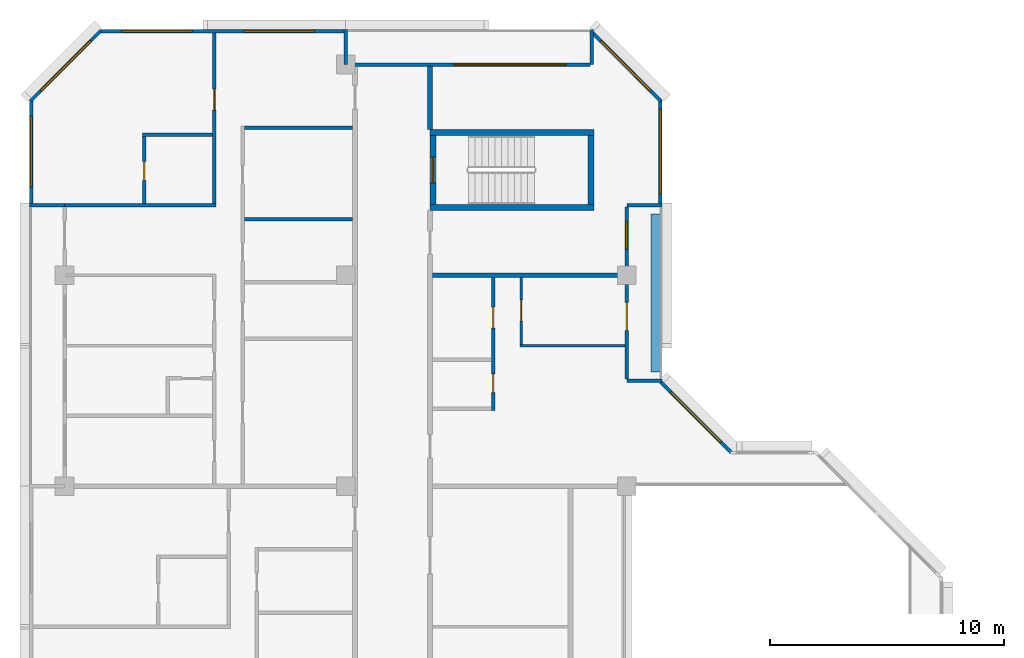
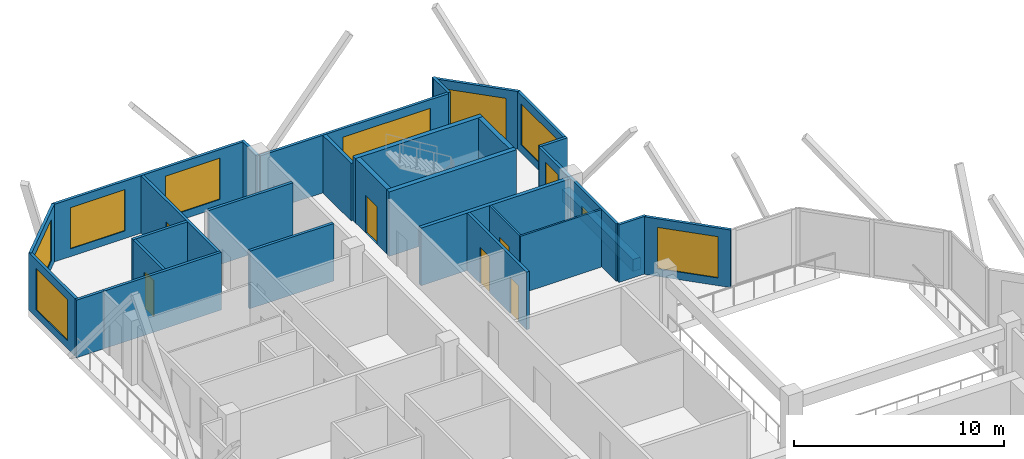
# One storey, part 10 of 13: 29 walls, 9 windows, 7 doors, 16 openings.
"""IFC4 building model written with IfcOpenShell, lengths in metres."""

from ifc_helpers import new_model, si_unit, direction, frame, frame_2d, origin, place, context, subcontext, project, spatial, rectangle, extrude, material, layer, layer_set, type_object, element, fill, save


model = new_model("IFC4")

# Units and contexts
model_context = context("Model", 3, precision=1e-05, world=origin(), true_north=direction((0.0, 1.0)))
body_context = subcontext(model_context, "Body", "Model", "MODEL_VIEW")
ifc_project = project(units=[si_unit("LENGTHUNIT", "METRE"), si_unit("AREAUNIT", "SQUARE_METRE"), si_unit("VOLUMEUNIT", "CUBIC_METRE"), si_unit("PLANEANGLEUNIT", "RADIAN"), si_unit("MASSUNIT", "GRAM", prefix="KILO")], contexts=[model_context])

# Site, building, storey
site_placement = place(None, origin())
site = spatial("IfcSite", under=ifc_project, at=site_placement, CompositionType="ELEMENT")
building_placement = place(site_placement, origin())
building = spatial("IfcBuilding", under=site, at=building_placement, Name="Chenar Terraces", CompositionType="ELEMENT")
storey_placement = place(building_placement, frame((0.0, 0.0, 295.89990234375)))
storey = spatial("IfcBuildingStorey", under=building, at=storey_placement, Name="L69", CompositionType="ELEMENT", Elevation=295.89990234375)

# Walls
ifc_material_1 = material(Name="Concrete C50/60", Category="concrete")
ifc_layer_1 = layer(ifc_material_1, 0.25)
ifc_layer_set_1 = layer_set([ifc_layer_1], Name="Concrete C50/60")
wall_type_1 = type_object("IfcWallType", Name="Core wall 250 Concrete C50/60", PredefinedType="SHEAR", material=ifc_layer_set_1)
for number, where, z_axis, x_axis, name in (
    (1, (15.60009765625, 47.89990234375, 0.0), (0.0, 0.0, 1.0), (1.0, 0.0, 0.0), "Core wall ST4_S L69"),
    (2, (15.60009765625, 51.10009765625, 0.0), (0.0, 0.0, 1.0), (1.0, 0.0, 0.0), "Core wall ST4_N L69"),
):
    element("IfcWall", number, at=place(storey_placement, frame(where, z_axis=z_axis, x_axis=x_axis)), inside=storey, type_object=wall_type_1, Name=name, PredefinedType="SHEAR", context=body_context, shape_type="SweptSolid", body=[
        extrude(rectangle(XDim=7.0, YDim=0.25, at=frame_2d((3.5, 0.0))), origin(), (0.0, 0.0, 1.0), 3.75),
    ])

# Wall, opening, door
wall_1_placement = place(storey_placement, frame((15.72509765625, 48.02490234375, 0.0), z_axis=(0.0, 0.0, 1.0), x_axis=(0.0, 1.0, 0.0)))
wall_1 = element("IfcWall", 3, at=wall_1_placement, inside=storey, type_object=wall_type_1, Name="Core wall ST4_W L69", PredefinedType="SHEAR", context=body_context, shape_type="SweptSolid", body=[
    extrude(rectangle(XDim=2.9501953125, YDim=0.25, at=frame_2d((1.47509765625, 0.0))), origin(), (0.0, 0.0, 1.0), 3.75),
])
opening_1_placement = place(wall_1_placement, frame((0.925048828125, 0.0, 0.0)))
opening_1 = element("IfcOpeningElement", 4, at=opening_1_placement, cuts=wall_1, Name="Opening DL69-C9", PredefinedType="OPENING", context=body_context, shape_type="SweptSolid", body=[
    extrude(rectangle(XDim=1.10009765625, YDim=2.199951171875, at=frame_2d((0.550048828125, 1.10009765625))), frame((0.0, 0.135009765625, 0.0), z_axis=(0.0, -1.0, 0.0), x_axis=(1.0, 0.0, 0.0)), (0.0, 0.0, 1.0), 0.27001953125),
])
ifc_material_2 = material(Name="Steel-framed fire-resisting door leaf", Category="steel")
door_type_1 = type_object("IfcDoorType", Name="Stair fire door FD60 1100 x 2200", OperationType="SINGLE_SWING_LEFT", PredefinedType="DOOR", material=ifc_material_2)
door_1_placement = place(opening_1_placement, frame((1.10009765625, 0.0, 0.0), z_axis=(0.0, 0.0, 1.0), x_axis=(-1.0, 0.0, 0.0)))
door_1 = element("IfcDoor", 5, at=door_1_placement, inside=storey, type_object=door_type_1, Name="Stair door DL69-C9", OperationType="SINGLE_SWING_RIGHT", OverallHeight=2.199951171875, OverallWidth=1.10009765625, PredefinedType="DOOR", context=body_context, shape_type="SweptSolid", body=[
    extrude(rectangle(XDim=1.10009765625, YDim=2.199951171875, at=frame_2d((0.550048828125, 1.10009765625))), frame((0.0, 0.02490234375, 0.0), z_axis=(0.0, -1.0, 0.0), x_axis=(1.0, 0.0, 0.0)), (0.0, 0.0, 1.0), 0.050048828125),
])
fill(opening_1, door_1)

# Walls
wall_2_placement = place(storey_placement, frame((22.47509765625, 48.02490234375, 0.0), z_axis=(0.0, 0.0, 1.0), x_axis=(0.0, 1.0, 0.0)))
element("IfcWall", 6, at=wall_2_placement, inside=storey, type_object=wall_type_1, Name="Core wall ST4_E L69", PredefinedType="SHEAR", context=body_context, shape_type="SweptSolid", body=[
    extrude(rectangle(XDim=2.9501953125, YDim=0.25, at=frame_2d((1.47509765625, 0.0))), origin(), (0.0, 0.0, 1.0), 3.75),
])
ifc_material_3 = material(Name="Gypsum board on steel studs with fire boards", Category="steel")
ifc_layer_2 = layer(ifc_material_3, 0.199951171875)
ifc_layer_set_2 = layer_set([ifc_layer_2], Name="Gypsum board on steel studs with fire boards")
wall_type_2 = type_object("IfcWallType", Name="Corridor wall 200", PredefinedType="PARTITIONING", material=ifc_layer_set_2)
wall_3_placement = place(storey_placement, frame((15.60009765625, 51.22509765625, 0.0), z_axis=(0.0, 0.0, 1.0), x_axis=(0.0, 1.0, 0.0)))
element("IfcWall", 7, at=wall_3_placement, inside=storey, type_object=wall_type_2, Name="Partition L69-034", PredefinedType="PARTITIONING", context=body_context, shape_type="SweptSolid", body=[
    extrude(rectangle(XDim=2.700927734375, YDim=0.199951171875, at=frame_2d((1.3505859375, 0.0))), origin(), (0.0, 0.0, 1.0), 3.35009765625),
])

# Wall, opening, window
ifc_material_4 = material(Name="Aluminium framed glazing", Category="aluminium")
ifc_layer_3 = layer(ifc_material_4, 0.14990234375)
ifc_layer_set_3 = layer_set([ifc_layer_3], Name="Aluminium framed glazing")
wall_type_3 = type_object("IfcWallType", Name="Glazed flush facade wall 150", PredefinedType="SOLIDWALL", material=ifc_layer_set_3)
wall_4_placement = place(storey_placement, frame((25.425048828125, 48.074951171875, 0.0), z_axis=(0.0, 0.0, 1.0), x_axis=(0.0, 1.0, 0.0)))
wall_4 = element("IfcWall", 8, at=wall_4_placement, inside=storey, type_object=wall_type_3, Name="Glazed flush facade wall", PredefinedType="SOLIDWALL", context=body_context, shape_type="SweptSolid", body=[
    extrude(rectangle(XDim=4.425048828125, YDim=0.14990234375, at=frame_2d((2.21240234375, 0.0))), origin(), (0.0, 0.0, 1.0), 3.35009765625),
])
opening_2_placement = place(wall_4_placement, frame((0.41259765625, 0.0, 0.449951171875)))
opening_2 = element("IfcOpeningElement", 9, at=opening_2_placement, cuts=wall_4, Name="Opening W360x240", PredefinedType="OPENING", context=body_context, shape_type="SweptSolid", body=[
    extrude(rectangle(XDim=3.60009765625, YDim=2.39990234375, at=frame_2d((1.800048828125, 1.199951171875))), frame((0.0, 0.0849609375, 0.0), z_axis=(0.0, -1.0, 0.0), x_axis=(1.0, 0.0, 0.0)), (0.0, 0.0, 1.0), 0.169921875),
])
ifc_material_5 = material(Name="Low emissivity double glazing, aluminium frame", Category="aluminium")
window_type_1 = type_object("IfcWindowType", Name="Fixed light 3600 x 2400", PartitioningType="SINGLE_PANEL", PredefinedType="WINDOW", material=ifc_material_5)
window_1_placement = place(opening_2_placement, origin())
window_1 = element("IfcWindow", 10, at=window_1_placement, inside=storey, type_object=window_type_1, Name="Window", OverallHeight=2.39990234375, OverallWidth=3.60009765625, PartitioningType="SINGLE_PANEL", PredefinedType="WINDOW", context=body_context, shape_type="SweptSolid", body=[
    extrude(rectangle(XDim=3.60009765625, YDim=2.39990234375, at=frame_2d((1.800048828125, 1.199951171875))), frame((0.0, 0.030029296875, 0.0), z_axis=(0.0, -1.0, 0.0), x_axis=(1.0, 0.0, 0.0)), (0.0, 0.0, 1.0), 0.06005859375),
])
fill(opening_2, window_1)

# Wall, openings, windows
wall_5_placement = place(storey_placement, frame((11.925048828125, 55.425048828125, 0.0), z_axis=(0.0, 0.0, 1.0), x_axis=(-1.0, 0.0, 0.0)))
wall_5 = element("IfcWall", 11, at=wall_5_placement, inside=storey, type_object=wall_type_3, Name="Glazed flush facade wall", PredefinedType="SOLIDWALL", context=body_context, shape_type="SweptSolid", body=[
    extrude(rectangle(XDim=10.425048828125, YDim=0.14990234375, at=frame_2d((5.21240234375, 0.0))), origin(), (0.0, 0.0, 1.0), 3.35009765625),
])
opening_3_placement = place(wall_5_placement, frame((1.262451171875, 0.0, 0.449951171875)))
opening_3 = element("IfcOpeningElement", 12, at=opening_3_placement, cuts=wall_5, Name="Opening W300x240", PredefinedType="OPENING", context=body_context, shape_type="SweptSolid", body=[
    extrude(rectangle(XDim=3.0, YDim=2.39990234375, at=frame_2d((1.5, 1.199951171875))), frame((0.0, 0.0849609375, 0.0), z_axis=(0.0, -1.0, 0.0), x_axis=(1.0, 0.0, 0.0)), (0.0, 0.0, 1.0), 0.169921875),
])
opening_4_placement = place(wall_5_placement, frame((6.47509765625, 0.0, 0.449951171875)))
opening_4 = element("IfcOpeningElement", 13, at=opening_4_placement, cuts=wall_5, Name="Opening W300x240", PredefinedType="OPENING", context=body_context, shape_type="SweptSolid", body=[
    extrude(rectangle(XDim=3.0, YDim=2.39990234375, at=frame_2d((1.5, 1.199951171875))), frame((0.0, 0.0849609375, 0.0), z_axis=(0.0, -1.0, 0.0), x_axis=(1.0, 0.0, 0.0)), (0.0, 0.0, 1.0), 0.169921875),
])
ifc_material_6 = material(Name="Low emissivity double glazing, aluminium frame", Category="aluminium")
window_type_2 = type_object("IfcWindowType", Name="Fixed light 3000 x 2400", PartitioningType="SINGLE_PANEL", PredefinedType="WINDOW", material=ifc_material_6)
window_2_placement = place(opening_3_placement, origin())
window_2 = element("IfcWindow", 14, at=window_2_placement, inside=storey, type_object=window_type_2, Name="Window", OverallHeight=2.39990234375, OverallWidth=3.0, PartitioningType="SINGLE_PANEL", PredefinedType="WINDOW", context=body_context, shape_type="SweptSolid", body=[
    extrude(rectangle(XDim=3.0, YDim=2.39990234375, at=frame_2d((1.5, 1.199951171875))), frame((0.0, 0.030029296875, 0.0), z_axis=(0.0, -1.0, 0.0), x_axis=(1.0, 0.0, 0.0)), (0.0, 0.0, 1.0), 0.06005859375),
])
fill(opening_3, window_2)
window_3_placement = place(opening_4_placement, origin())
window_3 = element("IfcWindow", 15, at=window_3_placement, inside=storey, type_object=window_type_2, Name="Window", OverallHeight=2.39990234375, OverallWidth=3.0, PartitioningType="SINGLE_PANEL", PredefinedType="WINDOW", context=body_context, shape_type="SweptSolid", body=[
    extrude(rectangle(XDim=3.0, YDim=2.39990234375, at=frame_2d((1.5, 1.199951171875))), frame((0.0, 0.030029296875, 0.0), z_axis=(0.0, -1.0, 0.0), x_axis=(1.0, 0.0, 0.0)), (0.0, 0.0, 1.0), 0.06005859375),
])
fill(opening_4, window_3)

# Wall, opening, window
wall_6_placement = place(storey_placement, frame((-1.425048828125, 52.5, 0.0), z_axis=(0.0, 0.0, 1.0), x_axis=(0.0, -1.0, 0.0)))
wall_6 = element("IfcWall", 16, at=wall_6_placement, inside=storey, type_object=wall_type_3, Name="Glazed flush facade wall", PredefinedType="SOLIDWALL", context=body_context, shape_type="SweptSolid", body=[
    extrude(rectangle(XDim=4.425048828125, YDim=0.14990234375, at=frame_2d((2.21240234375, 0.0))), origin(), (0.0, 0.0, 1.0), 3.35009765625),
])
opening_5_placement = place(wall_6_placement, frame((0.71240234375, 0.0, 0.449951171875)))
opening_5 = element("IfcOpeningElement", 17, at=opening_5_placement, cuts=wall_6, Name="Opening W300x240", PredefinedType="OPENING", context=body_context, shape_type="SweptSolid", body=[
    extrude(rectangle(XDim=3.0, YDim=2.39990234375, at=frame_2d((1.5, 1.199951171875))), frame((0.0, 0.0849609375, 0.0), z_axis=(0.0, -1.0, 0.0), x_axis=(1.0, 0.0, 0.0)), (0.0, 0.0, 1.0), 0.169921875),
])
window_4_placement = place(opening_5_placement, origin())
window_4 = element("IfcWindow", 18, at=window_4_placement, inside=storey, type_object=window_type_2, Name="Window", OverallHeight=2.39990234375, OverallWidth=3.0, PartitioningType="SINGLE_PANEL", PredefinedType="WINDOW", context=body_context, shape_type="SweptSolid", body=[
    extrude(rectangle(XDim=3.0, YDim=2.39990234375, at=frame_2d((1.5, 1.199951171875))), frame((0.0, 0.030029296875, 0.0), z_axis=(0.0, -1.0, 0.0), x_axis=(1.0, 0.0, 0.0)), (0.0, 0.0, 1.0), 0.06005859375),
])
fill(opening_5, window_4)

# Wall, openings, window, door
ifc_material_7 = material(Name="Aluminium framed glazing", Category="aluminium")
ifc_layer_4 = layer(ifc_material_7, 0.14990234375)
ifc_layer_set_4 = layer_set([ifc_layer_4], Name="Aluminium framed glazing")
wall_type_4 = type_object("IfcWallType", Name="Glazed loggia back wall 150", PredefinedType="SOLIDWALL", material=ifc_layer_set_4)
wall_7_placement = place(storey_placement, frame((24.0, 40.574951171875, 0.0), z_axis=(0.0, 0.0, 1.0), x_axis=(0.0, 1.0, 0.0)))
wall_7 = element("IfcWall", 19, at=wall_7_placement, inside=storey, type_object=wall_type_4, Name="Glazed loggia back wall", PredefinedType="SOLIDWALL", context=body_context, shape_type="SweptSolid", body=[
    extrude(rectangle(XDim=7.35009765625, YDim=0.14990234375, at=frame_2d((3.675048828125, 0.0))), origin(), (0.0, 0.0, 1.0), 3.35009765625),
])
opening_6_placement = place(wall_7_placement, frame((2.074951171875, 0.0, 0.0)))
opening_6 = element("IfcOpeningElement", 20, at=opening_6_placement, cuts=wall_7, Name="Opening DL69-G1", PredefinedType="OPENING", context=body_context, shape_type="SweptSolid", body=[
    extrude(rectangle(XDim=1.199951171875, YDim=2.39990234375, at=frame_2d((0.60009765625, 1.199951171875))), frame((0.0, 0.0849609375, 0.0), z_axis=(0.0, -1.0, 0.0), x_axis=(1.0, 0.0, 0.0)), (0.0, 0.0, 1.0), 0.169921875),
])
opening_7_placement = place(wall_7_placement, frame((5.53759765625, 0.0, 0.449951171875)))
opening_7 = element("IfcOpeningElement", 21, at=opening_7_placement, cuts=wall_7, Name="Opening W120x240", PredefinedType="OPENING", context=body_context, shape_type="SweptSolid", body=[
    extrude(rectangle(XDim=1.199951171875, YDim=2.39990234375, at=frame_2d((0.60009765625, 1.199951171875))), frame((0.0, 0.0849609375, 0.0), z_axis=(0.0, -1.0, 0.0), x_axis=(1.0, 0.0, 0.0)), (0.0, 0.0, 1.0), 0.169921875),
])
ifc_material_8 = material(Name="Low emissivity double glazing, aluminium frame", Category="aluminium")
window_type_3 = type_object("IfcWindowType", Name="Fixed light 1200 x 2400", PartitioningType="SINGLE_PANEL", PredefinedType="WINDOW", material=ifc_material_8)
window_5_placement = place(opening_7_placement, origin())
window_5 = element("IfcWindow", 22, at=window_5_placement, inside=storey, type_object=window_type_3, Name="Window", OverallHeight=2.39990234375, OverallWidth=1.199951171875, PartitioningType="SINGLE_PANEL", PredefinedType="WINDOW", context=body_context, shape_type="SweptSolid", body=[
    extrude(rectangle(XDim=1.199951171875, YDim=2.39990234375, at=frame_2d((0.60009765625, 1.199951171875))), frame((0.0, 0.030029296875, 0.0), z_axis=(0.0, -1.0, 0.0), x_axis=(1.0, 0.0, 0.0)), (0.0, 0.0, 1.0), 0.06005859375),
])
fill(opening_7, window_5)
ifc_material_9 = material(Name="Low emissivity double glazing, aluminium frame", Category="aluminium")
door_type_2 = type_object("IfcDoorType", Name="Loggia glazed double door 1200 x 2400", OperationType="DOUBLE_DOOR_SINGLE_SWING", PredefinedType="DOOR", material=ifc_material_9)
door_2_placement = place(opening_6_placement, frame((1.199951171875, 0.0, 0.0), z_axis=(0.0, 0.0, 1.0), x_axis=(-1.0, 0.0, 0.0)))
door_2 = element("IfcDoor", 23, at=door_2_placement, inside=storey, type_object=door_type_2, Name="Loggia glazed door", OperationType="DOUBLE_DOOR_SINGLE_SWING", OverallHeight=2.39990234375, OverallWidth=1.199951171875, PredefinedType="DOOR", context=body_context, shape_type="SweptSolid", body=[
    extrude(rectangle(XDim=1.199951171875, YDim=2.39990234375, at=frame_2d((0.60009765625, 1.199951171875))), frame((0.0, 0.02490234375, 0.0), z_axis=(0.0, -1.0, 0.0), x_axis=(1.0, 0.0, 0.0)), (0.0, 0.0, 1.0), 0.050048828125),
])
fill(opening_6, door_2)

# Wall, opening, window
wall_8_placement = place(storey_placement, frame((22.425048828125, 54.0, 0.0), z_axis=(0.0, 0.0, 1.0), x_axis=(-1.0, 0.0, 0.0)))
wall_8 = element("IfcWall", 24, at=wall_8_placement, inside=storey, type_object=wall_type_4, Name="Glazed loggia back wall", PredefinedType="SOLIDWALL", context=body_context, shape_type="SweptSolid", body=[
    extrude(rectangle(XDim=10.35009765625, YDim=0.14990234375, at=frame_2d((5.175048828125, 0.0))), origin(), (0.0, 0.0, 1.0), 3.35009765625),
])
opening_8_placement = place(wall_8_placement, frame((1.012451171875, 0.0, 0.449951171875)))
opening_8 = element("IfcOpeningElement", 25, at=opening_8_placement, cuts=wall_8, Name="Opening W480x240", PredefinedType="OPENING", context=body_context, shape_type="SweptSolid", body=[
    extrude(rectangle(XDim=4.800048828125, YDim=2.39990234375, at=frame_2d((2.39990234375, 1.199951171875))), frame((0.0, 0.0849609375, 0.0), z_axis=(0.0, -1.0, 0.0), x_axis=(1.0, 0.0, 0.0)), (0.0, 0.0, 1.0), 0.169921875),
])
ifc_material_10 = material(Name="Low emissivity double glazing, aluminium frame", Category="aluminium")
window_type_4 = type_object("IfcWindowType", Name="Fixed light 4800 x 2400", PartitioningType="SINGLE_PANEL", PredefinedType="WINDOW", material=ifc_material_10)
window_6_placement = place(opening_8_placement, origin())
window_6 = element("IfcWindow", 26, at=window_6_placement, inside=storey, type_object=window_type_4, Name="Window", OverallHeight=2.39990234375, OverallWidth=4.800048828125, PartitioningType="SINGLE_PANEL", PredefinedType="WINDOW", context=body_context, shape_type="SweptSolid", body=[
    extrude(rectangle(XDim=4.800048828125, YDim=2.39990234375, at=frame_2d((2.39990234375, 1.199951171875))), frame((0.0, 0.030029296875, 0.0), z_axis=(0.0, -1.0, 0.0), x_axis=(1.0, 0.0, 0.0)), (0.0, 0.0, 1.0), 0.06005859375),
])
fill(opening_8, window_6)

# Wall
ifc_material_11 = material(Name="Gypsum board on steel studs", Category="steel")
ifc_layer_5 = layer(ifc_material_11, 0.10009765625)
ifc_layer_set_5 = layer_set([ifc_layer_5], Name="Gypsum board on steel studs")
wall_type_5 = type_object("IfcWallType", Name="Gypsum partition 100", PredefinedType="PARTITIONING", material=ifc_layer_set_5)
wall_9_placement = place(storey_placement, frame((19.449951171875, 42.0, 0.0), z_axis=(0.0, 0.0, 1.0), x_axis=(1.0, 0.0, 0.0)))
element("IfcWall", 27, at=wall_9_placement, inside=storey, type_object=wall_type_5, Name="Partition L69-042", PredefinedType="PARTITIONING", context=body_context, shape_type="SweptSolid", body=[
    extrude(rectangle(XDim=4.47607421875, YDim=0.10009765625, at=frame_2d((2.238037109375, 0.0))), origin(), (0.0, 0.0, 1.0), 3.35009765625),
])

# Wall, opening, door
wall_10_placement = place(storey_placement, frame((19.5, 42.050048828125, 0.0), z_axis=(0.0, 0.0, 1.0), x_axis=(0.0, 1.0, 0.0)))
wall_10 = element("IfcWall", 28, at=wall_10_placement, inside=storey, type_object=wall_type_5, Name="Partition L69-043", PredefinedType="PARTITIONING", context=body_context, shape_type="SweptSolid", body=[
    extrude(rectangle(XDim=2.849853515625, YDim=0.10009765625, at=frame_2d((1.4248046875, 0.0))), origin(), (0.0, 0.0, 1.0), 3.35009765625),
])
opening_9_placement = place(wall_10_placement, frame((1.0, 0.0, 0.0)))
opening_9 = element("IfcOpeningElement", 29, at=opening_9_placement, cuts=wall_10, Name="Opening DL69-13", PredefinedType="OPENING", context=body_context, shape_type="SweptSolid", body=[
    extrude(rectangle(XDim=0.89990234375, YDim=2.10009765625, at=frame_2d((0.449951171875, 1.050048828125))), frame((0.0, 0.06005859375, 0.0), z_axis=(0.0, -1.0, 0.0), x_axis=(1.0, 0.0, 0.0)), (0.0, 0.0, 1.0), 0.1201171875),
])
ifc_material_12 = material(Name="Veneered timber door leaf", Category="wood")
door_type_3 = type_object("IfcDoorType", Name="Door 900 x 2100", OperationType="SINGLE_SWING_LEFT", PredefinedType="DOOR", material=ifc_material_12)
door_3_placement = place(opening_9_placement, frame((0.89990234375, 0.0, 0.0), z_axis=(0.0, 0.0, 1.0), x_axis=(-1.0, 0.0, 0.0)))
door_3 = element("IfcDoor", 30, at=door_3_placement, inside=storey, type_object=door_type_3, Name="Door DL69-13", OperationType="SINGLE_SWING_LEFT", OverallHeight=2.10009765625, OverallWidth=0.89990234375, PredefinedType="DOOR", context=body_context, shape_type="SweptSolid", body=[
    extrude(rectangle(XDim=0.89990234375, YDim=2.10009765625, at=frame_2d((0.449951171875, 1.050048828125))), frame((0.0, 0.02490234375, 0.0), z_axis=(0.0, -1.0, 0.0), x_axis=(1.0, 0.0, 0.0)), (0.0, 0.0, 1.0), 0.050048828125),
])
fill(opening_9, door_3)

# Walls
ifc_material_13 = material(Name="Terracotta cladding on insulated backing", Category="masonry")
ifc_layer_6 = layer(ifc_material_13, 0.14990234375)
ifc_layer_set_6 = layer_set([ifc_layer_6], Name="Terracotta cladding on insulated backing")
wall_type_6 = type_object("IfcWallType", Name="Loggia return wall 150", PredefinedType="SOLIDWALL", material=ifc_layer_set_6)
for number, where, z_axis, x_axis, name in (
    (31, (25.5, 40.5, 0.0), (0.0, 0.0, 1.0), (-1.0, 0.0, 0.0), "Loggia return wall"),
    (32, (25.5, 48.0, 0.0), (0.0, 0.0, 1.0), (-1.0, 0.0, 0.0), "Loggia return wall"),
    (33, (22.5, 55.5, 0.0), (0.0, 0.0, 1.0), (0.0, -1.0, 0.0), "Loggia return wall"),
    (34, (12.0, 55.5, 0.0), (0.0, 0.0, 1.0), (0.0, -1.0, 0.0), "Loggia return wall"),
    (35, (-1.5, 48.0, 0.0), (0.0, 0.0, 1.0), (1.0, 0.0, 0.0), "Loggia return wall"),
):
    element("IfcWall", number, at=place(storey_placement, frame(where, z_axis=z_axis, x_axis=x_axis)), inside=storey, type_object=wall_type_6, Name=name, PredefinedType="SOLIDWALL", context=body_context, shape_type="SweptSolid", body=[
        extrude(rectangle(XDim=1.5, YDim=0.14990234375, at=frame_2d((0.75, 0.0))), origin(), (0.0, 0.0, 1.0), 3.35009765625),
    ])

# Wall, opening, window
ifc_material_14 = material(Name="Terracotta cladding on insulated backing", Category="masonry")
ifc_layer_7 = layer(ifc_material_14, 0.14990234375)
ifc_layer_set_7 = layer_set([ifc_layer_7], Name="Terracotta cladding on insulated backing")
wall_type_7 = type_object("IfcWallType", Name="Terracotta rainscreen wall 150", PredefinedType="SOLIDWALL", material=ifc_layer_set_7)
wall_11_placement = place(storey_placement, frame((28.447021484375, 37.447021484375, 0.0), z_axis=(0.0, 0.0, 1.0), x_axis=(-0.707106781187, 0.707106781187, 0.0)))
wall_11 = element("IfcWall", 36, at=wall_11_placement, inside=storey, type_object=wall_type_7, Name="Terracotta rainscreen wall", PredefinedType="SOLIDWALL", context=body_context, shape_type="SweptSolid", body=[
    extrude(rectangle(XDim=4.24267578125, YDim=0.14990234375, at=frame_2d((2.121337890625, 0.0))), origin(), (0.0, 0.0, 1.0), 3.35009765625),
])
opening_10_placement = place(wall_11_placement, frame((0.621337890625, 0.0, 0.449951171875)))
opening_10 = element("IfcOpeningElement", 37, at=opening_10_placement, cuts=wall_11, Name="Opening W300x240", PredefinedType="OPENING", context=body_context, shape_type="SweptSolid", body=[
    extrude(rectangle(XDim=3.0, YDim=2.39990234375, at=frame_2d((1.5, 1.199951171875))), frame((0.0, 0.0849609375, 0.0), z_axis=(0.0, -1.0, 0.0), x_axis=(1.0, 0.0, 0.0)), (0.0, 0.0, 1.0), 0.169921875),
])
window_7_placement = place(opening_10_placement, origin())
window_7 = element("IfcWindow", 38, at=window_7_placement, inside=storey, type_object=window_type_2, Name="Window", OverallHeight=2.39990234375, OverallWidth=3.0, PartitioningType="SINGLE_PANEL", PredefinedType="WINDOW", context=body_context, shape_type="SweptSolid", body=[
    extrude(rectangle(XDim=3.0, YDim=2.39990234375, at=frame_2d((1.5, 1.199951171875))), frame((0.0, 0.030029296875, 0.0), z_axis=(0.0, -1.0, 0.0), x_axis=(1.0, 0.0, 0.0)), (0.0, 0.0, 1.0), 0.06005859375),
])
fill(opening_10, window_7)

wall_12_placement = place(storey_placement, frame((25.447021484375, 52.447021484375, 0.0), z_axis=(0.0, 0.0, 1.0), x_axis=(-0.707106781187, 0.707106781187, 0.0)))
wall_12 = element("IfcWall", 39, at=wall_12_placement, inside=storey, type_object=wall_type_7, Name="Terracotta rainscreen wall", PredefinedType="SOLIDWALL", context=body_context, shape_type="SweptSolid", body=[
    extrude(rectangle(XDim=4.24267578125, YDim=0.14990234375, at=frame_2d((2.121337890625, 0.0))), origin(), (0.0, 0.0, 1.0), 3.35009765625),
])
opening_11_placement = place(wall_12_placement, frame((0.621337890625, 0.0, 0.449951171875)))
opening_11 = element("IfcOpeningElement", 40, at=opening_11_placement, cuts=wall_12, Name="Opening W300x240", PredefinedType="OPENING", context=body_context, shape_type="SweptSolid", body=[
    extrude(rectangle(XDim=3.0, YDim=2.39990234375, at=frame_2d((1.5, 1.199951171875))), frame((0.0, 0.0849609375, 0.0), z_axis=(0.0, -1.0, 0.0), x_axis=(1.0, 0.0, 0.0)), (0.0, 0.0, 1.0), 0.169921875),
])
window_8_placement = place(opening_11_placement, origin())
window_8 = element("IfcWindow", 41, at=window_8_placement, inside=storey, type_object=window_type_2, Name="Window", OverallHeight=2.39990234375, OverallWidth=3.0, PartitioningType="SINGLE_PANEL", PredefinedType="WINDOW", context=body_context, shape_type="SweptSolid", body=[
    extrude(rectangle(XDim=3.0, YDim=2.39990234375, at=frame_2d((1.5, 1.199951171875))), frame((0.0, 0.030029296875, 0.0), z_axis=(0.0, -1.0, 0.0), x_axis=(1.0, 0.0, 0.0)), (0.0, 0.0, 1.0), 0.06005859375),
])
fill(opening_11, window_8)

wall_13_placement = place(storey_placement, frame((1.552978515625, 55.447021484375, 0.0), z_axis=(0.0, 0.0, 1.0), x_axis=(-0.707106781187, -0.707106781187, 0.0)))
wall_13 = element("IfcWall", 42, at=wall_13_placement, inside=storey, type_object=wall_type_7, Name="Terracotta rainscreen wall", PredefinedType="SOLIDWALL", context=body_context, shape_type="SweptSolid", body=[
    extrude(rectangle(XDim=4.24267578125, YDim=0.14990234375, at=frame_2d((2.121337890625, 0.0))), origin(), (0.0, 0.0, 1.0), 3.35009765625),
])
opening_12_placement = place(wall_13_placement, frame((0.621337890625, 0.0, 0.449951171875)))
opening_12 = element("IfcOpeningElement", 43, at=opening_12_placement, cuts=wall_13, Name="Opening W300x240", PredefinedType="OPENING", context=body_context, shape_type="SweptSolid", body=[
    extrude(rectangle(XDim=3.0, YDim=2.39990234375, at=frame_2d((1.5, 1.199951171875))), frame((0.0, 0.0849609375, 0.0), z_axis=(0.0, -1.0, 0.0), x_axis=(1.0, 0.0, 0.0)), (0.0, 0.0, 1.0), 0.169921875),
])
window_9_placement = place(opening_12_placement, origin())
window_9 = element("IfcWindow", 44, at=window_9_placement, inside=storey, type_object=window_type_2, Name="Window", OverallHeight=2.39990234375, OverallWidth=3.0, PartitioningType="SINGLE_PANEL", PredefinedType="WINDOW", context=body_context, shape_type="SweptSolid", body=[
    extrude(rectangle(XDim=3.0, YDim=2.39990234375, at=frame_2d((1.5, 1.199951171875))), frame((0.0, 0.030029296875, 0.0), z_axis=(0.0, -1.0, 0.0), x_axis=(1.0, 0.0, 0.0)), (0.0, 0.0, 1.0), 0.06005859375),
])
fill(opening_12, window_9)

# Walls
ifc_material_15 = material(Name="Twin gypsum board on steel studs with mineral wool", Category="steel")
ifc_layer_8 = layer(ifc_material_15, 0.199951171875)
ifc_layer_set_8 = layer_set([ifc_layer_8], Name="Twin gypsum board on steel studs with mineral wool")
wall_type_8 = type_object("IfcWallType", Name="Unit demising wall 200", PredefinedType="PARTITIONING", material=ifc_layer_set_8)
wall_14_placement = place(storey_placement, frame((15.699951171875, 45.0, 0.0), z_axis=(0.0, 0.0, 1.0), x_axis=(1.0, 0.0, 0.0)))
element("IfcWall", 45, at=wall_14_placement, inside=storey, type_object=wall_type_8, Name="Partition L69-040", PredefinedType="PARTITIONING", context=body_context, shape_type="SweptSolid", body=[
    extrude(rectangle(XDim=8.22607421875, YDim=0.199951171875, at=frame_2d((4.113037109375, 0.0))), origin(), (0.0, 0.0, 1.0), 3.35009765625),
])
ifc_material_16 = material(Name="GRP planter trough")
ifc_layer_9 = layer(ifc_material_16, 0.39990234375)
ifc_layer_set_9 = layer_set([ifc_layer_9], Name="GRP planter trough")
wall_type_9 = type_object("IfcWallType", Name="Vertical greenery planter 400", PredefinedType="SOLIDWALL", material=ifc_layer_set_9)
wall_15_placement = place(storey_placement, frame((25.22900390625, 40.875, 0.0), z_axis=(0.0, 0.0, 1.0), x_axis=(0.0, 1.0, 0.0)))
element("IfcWall", 46, at=wall_15_placement, inside=storey, type_object=wall_type_9, Name="Vertical greenery planter", PredefinedType="SOLIDWALL", context=body_context, shape_type="SweptSolid", body=[
    extrude(rectangle(XDim=6.75, YDim=0.39990234375, at=frame_2d((3.375, 0.0))), origin(), (0.0, 0.0, 1.0), 0.7001953125),
])
ifc_material_17 = material(Name="Moisture-resistant gypsum board on steel studs", Category="steel")
ifc_layer_10 = layer(ifc_material_17, 0.14990234375)
ifc_layer_set_10 = layer_set([ifc_layer_10], Name="Moisture-resistant gypsum board on steel studs")
wall_type_10 = type_object("IfcWallType", Name="Wet-room partition 150", PredefinedType="PARTITIONING", material=ifc_layer_set_10)
wall_16_placement = place(storey_placement, frame((0.0, 48.0, 0.0), z_axis=(0.0, 0.0, 1.0), x_axis=(1.0, 0.0, 0.0)))
element("IfcWall", 47, at=wall_16_placement, inside=storey, type_object=wall_type_10, Name="Partition L69-003", PredefinedType="PARTITIONING", context=body_context, shape_type="SweptSolid", body=[
    extrude(rectangle(XDim=6.47509765625, YDim=0.14990234375, at=frame_2d((3.237548828125, 0.0))), origin(), (0.0, 0.0, 1.0), 3.35009765625),
])
wall_17_placement = place(storey_placement, frame((3.324951171875, 51.0, 0.0), z_axis=(0.0, 0.0, 1.0), x_axis=(1.0, 0.0, 0.0)))
element("IfcWall", 48, at=wall_17_placement, inside=storey, type_object=wall_type_10, Name="Partition L69-010", PredefinedType="PARTITIONING", context=body_context, shape_type="SweptSolid", body=[
    extrude(rectangle(XDim=3.0, YDim=0.14990234375, at=frame_2d((1.5, 0.0))), origin(), (0.0, 0.0, 1.0), 3.35009765625),
])

# Wall, opening, door
wall_18_placement = place(storey_placement, frame((3.39990234375, 48.074951171875, 0.0), z_axis=(0.0, 0.0, 1.0), x_axis=(0.0, 1.0, 0.0)))
wall_18 = element("IfcWall", 49, at=wall_18_placement, inside=storey, type_object=wall_type_10, Name="Partition L69-011", PredefinedType="PARTITIONING", context=body_context, shape_type="SweptSolid", body=[
    extrude(rectangle(XDim=2.85009765625, YDim=0.14990234375, at=frame_2d((1.425048828125, 0.0))), origin(), (0.0, 0.0, 1.0), 3.35009765625),
])
opening_13_placement = place(wall_18_placement, frame((0.97509765625, 0.0, 0.0)))
opening_13 = element("IfcOpeningElement", 50, at=opening_13_placement, cuts=wall_18, Name="Opening DL69-20", PredefinedType="OPENING", context=body_context, shape_type="SweptSolid", body=[
    extrude(rectangle(XDim=0.800048828125, YDim=2.10009765625, at=frame_2d((0.39990234375, 1.050048828125))), frame((0.0, 0.0849609375, 0.0), z_axis=(0.0, -1.0, 0.0), x_axis=(1.0, 0.0, 0.0)), (0.0, 0.0, 1.0), 0.169921875),
])
ifc_material_18 = material(Name="Veneered timber door leaf", Category="wood")
door_type_4 = type_object("IfcDoorType", Name="Door 800 x 2100", OperationType="SINGLE_SWING_LEFT", PredefinedType="DOOR", material=ifc_material_18)
door_4_placement = place(opening_13_placement, frame((0.800048828125, 0.0, 0.0), z_axis=(0.0, 0.0, 1.0), x_axis=(-1.0, 0.0, 0.0)))
door_4 = element("IfcDoor", 51, at=door_4_placement, inside=storey, type_object=door_type_4, Name="Door DL69-20", OperationType="SINGLE_SWING_RIGHT", OverallHeight=2.10009765625, OverallWidth=0.800048828125, PredefinedType="DOOR", context=body_context, shape_type="SweptSolid", body=[
    extrude(rectangle(XDim=0.800048828125, YDim=2.10009765625, at=frame_2d((0.39990234375, 1.050048828125))), frame((0.0, 0.02490234375, 0.0), z_axis=(0.0, -1.0, 0.0), x_axis=(1.0, 0.0, 0.0)), (0.0, 0.0, 1.0), 0.050048828125),
])
fill(opening_13, door_4)

wall_19_placement = place(storey_placement, frame((6.39990234375, 48.074951171875, 0.0), z_axis=(0.0, 0.0, 1.0), x_axis=(0.0, 1.0, 0.0)))
wall_19 = element("IfcWall", 52, at=wall_19_placement, inside=storey, type_object=wall_type_10, Name="Partition L69-017", PredefinedType="PARTITIONING", context=body_context, shape_type="SweptSolid", body=[
    extrude(rectangle(XDim=7.275146484375, YDim=0.14990234375, at=frame_2d((3.6376953125, 0.0))), origin(), (0.0, 0.0, 1.0), 3.35009765625),
])
opening_14_placement = place(wall_19_placement, frame((3.97509765625, 0.0, 0.0)))
opening_14 = element("IfcOpeningElement", 53, at=opening_14_placement, cuts=wall_19, Name="Opening DL69-19", PredefinedType="OPENING", context=body_context, shape_type="SweptSolid", body=[
    extrude(rectangle(XDim=0.89990234375, YDim=2.10009765625, at=frame_2d((0.449951171875, 1.050048828125))), frame((0.0, 0.0849609375, 0.0), z_axis=(0.0, -1.0, 0.0), x_axis=(1.0, 0.0, 0.0)), (0.0, 0.0, 1.0), 0.169921875),
])
door_5_placement = place(opening_14_placement, origin())
door_5 = element("IfcDoor", 54, at=door_5_placement, inside=storey, type_object=door_type_3, Name="Door DL69-19", OperationType="SINGLE_SWING_LEFT", OverallHeight=2.10009765625, OverallWidth=0.89990234375, PredefinedType="DOOR", context=body_context, shape_type="SweptSolid", body=[
    extrude(rectangle(XDim=0.89990234375, YDim=2.10009765625, at=frame_2d((0.449951171875, 1.050048828125))), frame((0.0, 0.02490234375, 0.0), z_axis=(0.0, -1.0, 0.0), x_axis=(1.0, 0.0, 0.0)), (0.0, 0.0, 1.0), 0.050048828125),
])
fill(opening_14, door_5)

# Walls
for number, where, z_axis, x_axis, name in (
    (55, (7.675048828125, 47.39990234375, 0.0), (0.0, 0.0, 1.0), (1.0, 0.0, 0.0), "Partition L69-022"),
    (56, (7.675048828125, 51.300048828125, 0.0), (0.0, 0.0, 1.0), (1.0, 0.0, 0.0), "Partition L69-023"),
):
    element("IfcWall", number, at=place(storey_placement, frame(where, z_axis=z_axis, x_axis=x_axis)), inside=storey, type_object=wall_type_10, Name=name, PredefinedType="PARTITIONING", context=body_context, shape_type="SweptSolid", body=[
        extrude(rectangle(XDim=4.625, YDim=0.14990234375, at=frame_2d((2.3125, 0.0))), origin(), (0.0, 0.0, 1.0), 3.35009765625),
    ])

# Wall, openings, doors
wall_20_placement = place(storey_placement, frame((18.300048828125, 39.22509765625, 0.0), z_axis=(0.0, 0.0, 1.0), x_axis=(0.0, 1.0, 0.0)))
wall_20 = element("IfcWall", 57, at=wall_20_placement, inside=storey, type_object=wall_type_10, Name="Partition L69-041", PredefinedType="PARTITIONING", context=body_context, shape_type="SweptSolid", body=[
    extrude(rectangle(XDim=5.6748046875, YDim=0.14990234375, at=frame_2d((2.83740234375, 0.0))), origin(), (0.0, 0.0, 1.0), 3.35009765625),
])
opening_15_placement = place(wall_20_placement, frame((0.77490234375, 0.0, 0.0)))
opening_15 = element("IfcOpeningElement", 58, at=opening_15_placement, cuts=wall_20, Name="Opening DL69-12", PredefinedType="OPENING", context=body_context, shape_type="SweptSolid", body=[
    extrude(rectangle(XDim=0.800048828125, YDim=2.10009765625, at=frame_2d((0.39990234375, 1.050048828125))), frame((0.0, 0.0849609375, 0.0), z_axis=(0.0, -1.0, 0.0), x_axis=(1.0, 0.0, 0.0)), (0.0, 0.0, 1.0), 0.169921875),
])
opening_16_placement = place(wall_20_placement, frame((3.52490234375, 0.0, 0.0)))
opening_16 = element("IfcOpeningElement", 59, at=opening_16_placement, cuts=wall_20, Name="Opening DL69-14", PredefinedType="OPENING", context=body_context, shape_type="SweptSolid", body=[
    extrude(rectangle(XDim=0.89990234375, YDim=2.10009765625, at=frame_2d((0.449951171875, 1.050048828125))), frame((0.0, 0.0849609375, 0.0), z_axis=(0.0, -1.0, 0.0), x_axis=(1.0, 0.0, 0.0)), (0.0, 0.0, 1.0), 0.169921875),
])
door_6_placement = place(opening_15_placement, origin())
door_6 = element("IfcDoor", 60, at=door_6_placement, inside=storey, type_object=door_type_4, Name="Door DL69-12", OperationType="SINGLE_SWING_RIGHT", OverallHeight=2.10009765625, OverallWidth=0.800048828125, PredefinedType="DOOR", context=body_context, shape_type="SweptSolid", body=[
    extrude(rectangle(XDim=0.800048828125, YDim=2.10009765625, at=frame_2d((0.39990234375, 1.050048828125))), frame((0.0, 0.02490234375, 0.0), z_axis=(0.0, -1.0, 0.0), x_axis=(1.0, 0.0, 0.0)), (0.0, 0.0, 1.0), 0.050048828125),
])
fill(opening_15, door_6)
door_7_placement = place(opening_16_placement, origin())
door_7 = element("IfcDoor", 61, at=door_7_placement, inside=storey, type_object=door_type_3, Name="Door DL69-14", OperationType="SINGLE_SWING_LEFT", OverallHeight=2.10009765625, OverallWidth=0.89990234375, PredefinedType="DOOR", context=body_context, shape_type="SweptSolid", body=[
    extrude(rectangle(XDim=0.89990234375, YDim=2.10009765625, at=frame_2d((0.449951171875, 1.050048828125))), frame((0.0, 0.02490234375, 0.0), z_axis=(0.0, -1.0, 0.0), x_axis=(1.0, 0.0, 0.0)), (0.0, 0.0, 1.0), 0.050048828125),
])
fill(opening_16, door_7)

save(model, "model.ifc")
